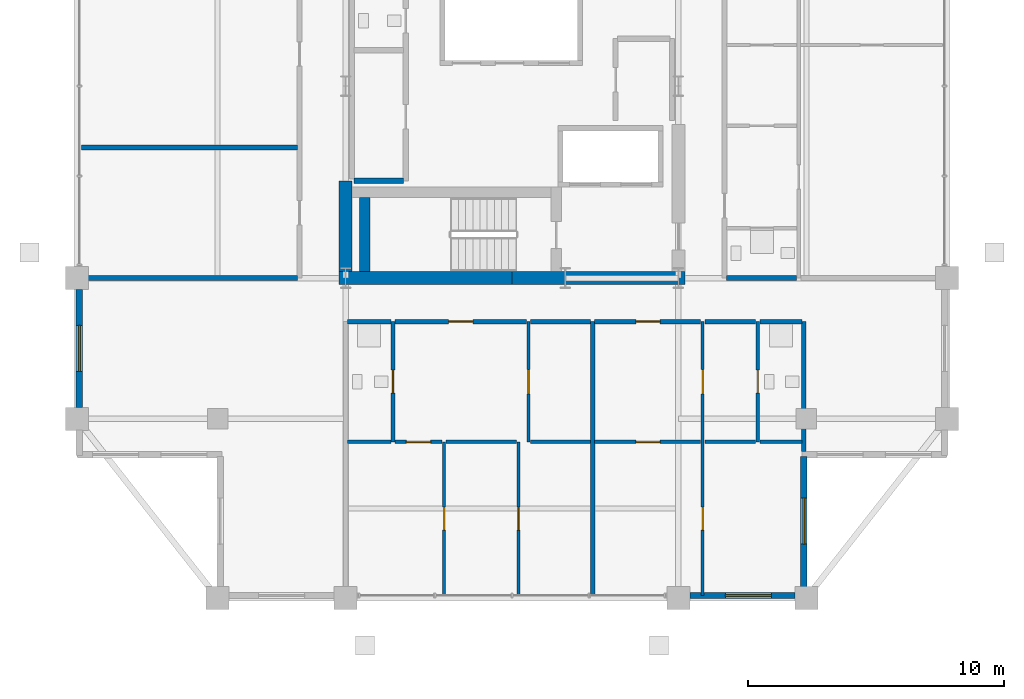
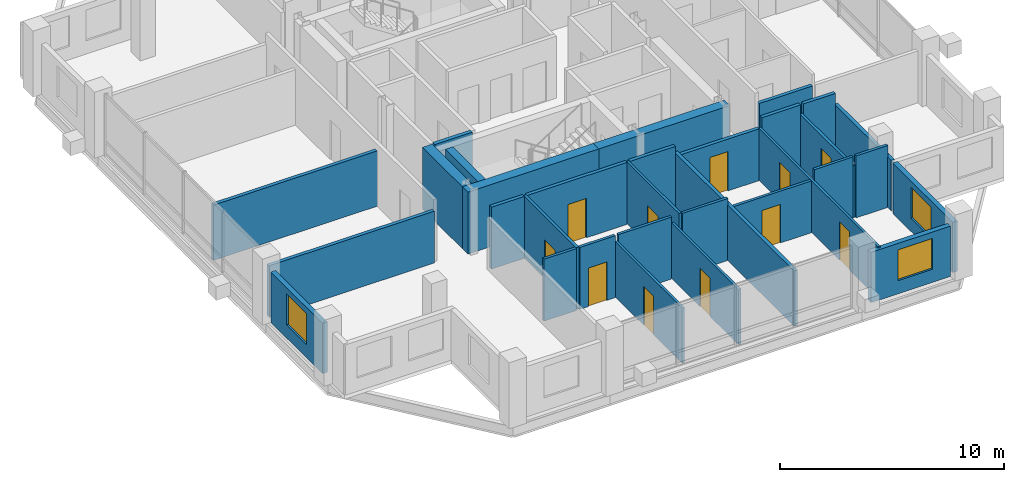
# One storey, part 16 of 21: 32 walls, 11 doors, 3 windows, 14 openings.
"""IFC4 building model written with IfcOpenShell, lengths in metres."""

from ifc_helpers import new_model, si_unit, direction, frame, frame_2d, origin, place, context, subcontext, project, spatial, rectangle, extrude, material, layer, layer_set, type_object, element, fill, save


model = new_model("IFC4")

# Units and contexts
model_context = context("Model", 3, precision=1e-05, world=origin(), true_north=direction((0.0, 1.0)))
body_context = subcontext(model_context, "Body", "Model", "MODEL_VIEW")
ifc_project = project(units=[si_unit("LENGTHUNIT", "METRE"), si_unit("AREAUNIT", "SQUARE_METRE"), si_unit("VOLUMEUNIT", "CUBIC_METRE"), si_unit("PLANEANGLEUNIT", "RADIAN"), si_unit("MASSUNIT", "GRAM", prefix="KILO")], contexts=[model_context])

# Site, building, storey
site_placement = place(None, origin())
site = spatial("IfcSite", under=ifc_project, at=site_placement, CompositionType="ELEMENT")
building_placement = place(site_placement, origin())
building = spatial("IfcBuilding", under=site, at=building_placement, Name="Barlavira Tower and Art Museum", CompositionType="ELEMENT")
storey_placement = place(building_placement, frame((0.0, 0.0, 233.10009765625)))
storey = spatial("IfcBuildingStorey", under=building, at=storey_placement, Name="L60", CompositionType="ELEMENT", Elevation=233.10009765625)

# Wall, opening, door
ifc_material_1 = material(Name="Gypsum acoustic stud partition", Category="gypsum")
ifc_layer_1 = layer(ifc_material_1, 0.1201171875, Name="Gypsum acoustic stud partition")
ifc_layer_set_1 = layer_set([ifc_layer_1], Name="Gypsum acoustic stud partition")
wall_type_1 = type_object("IfcWallType", Name="Apartment Internal Acoustic Partition 120", PredefinedType="PARTITIONING", material=ifc_layer_set_1)
wall_1_placement = place(storey_placement, frame((-2.64990234375, -19.89990234375, 0.0), z_axis=(0.0, 0.0, 1.0), x_axis=(0.0, 1.0, 0.0)))
wall_1 = element("IfcWall", 1, at=wall_1_placement, inside=storey, type_object=wall_type_1, Name="L60 Partition Wall 9", PredefinedType="PARTITIONING", context=body_context, shape_type="SweptSolid", body=[
    extrude(rectangle(XDim=6.0, YDim=0.1201171875, at=frame_2d((3.0, 0.0))), origin(), (0.0, 0.0, 1.0), 3.017822265625),
])
opening_1_placement = place(wall_1_placement, frame((2.550048828125, 0.0, 0.0)))
opening_1 = element("IfcOpeningElement", 2, at=opening_1_placement, cuts=wall_1, Name="Opening D-01", PredefinedType="OPENING", context=body_context, shape_type="SweptSolid", body=[
    extrude(rectangle(XDim=0.89990234375, YDim=2.10009765625, at=frame_2d((0.449951171875, 1.050048828125))), frame((0.0, 0.070068359375, 0.0), z_axis=(0.0, -1.0, 0.0), x_axis=(1.0, 0.0, 0.0)), (0.0, 0.0, 1.0), 0.14013671875),
])
ifc_material_2 = material(Name="Engineered coastal hardwood", Category="wood")
door_type_1 = type_object("IfcDoorType", Name="Internal Bedroom Timber Flush Door 900x2100", OperationType="NOTDEFINED", PredefinedType="DOOR", material=ifc_material_2)
door_1_placement = place(opening_1_placement, origin())
door_1 = element("IfcDoor", 3, at=door_1_placement, inside=storey, type_object=door_type_1, Name="Apartment S1 Bedroom 1 Door", OperationType="SINGLE_SWING_LEFT", OverallHeight=2.10009765625, OverallWidth=0.89990234375, PredefinedType="DOOR", context=body_context, shape_type="SweptSolid", body=[
    extrude(rectangle(XDim=0.89990234375, YDim=2.10009765625, at=frame_2d((0.449951171875, 1.050048828125))), frame((0.0, 0.02490234375, 0.0), z_axis=(0.0, -1.0, 0.0), x_axis=(1.0, 0.0, 0.0)), (0.0, 0.0, 1.0), 0.050048828125),
])
fill(opening_1, door_1)

wall_2_placement = place(storey_placement, frame((0.25, -19.89990234375, 0.0), z_axis=(0.0, 0.0, 1.0), x_axis=(0.0, 1.0, 0.0)))
wall_2 = element("IfcWall", 4, at=wall_2_placement, inside=storey, type_object=wall_type_1, Name="L60 Partition Wall 11", PredefinedType="PARTITIONING", context=body_context, shape_type="SweptSolid", body=[
    extrude(rectangle(XDim=6.0, YDim=0.1201171875, at=frame_2d((3.0, 0.0))), origin(), (0.0, 0.0, 1.0), 3.017822265625),
])
opening_2_placement = place(wall_2_placement, frame((2.550048828125, 0.0, 0.0)))
opening_2 = element("IfcOpeningElement", 5, at=opening_2_placement, cuts=wall_2, Name="Opening D-01", PredefinedType="OPENING", context=body_context, shape_type="SweptSolid", body=[
    extrude(rectangle(XDim=0.89990234375, YDim=2.10009765625, at=frame_2d((0.449951171875, 1.050048828125))), frame((0.0, 0.070068359375, 0.0), z_axis=(0.0, -1.0, 0.0), x_axis=(1.0, 0.0, 0.0)), (0.0, 0.0, 1.0), 0.14013671875),
])
door_2_placement = place(opening_2_placement, origin())
door_2 = element("IfcDoor", 6, at=door_2_placement, inside=storey, type_object=door_type_1, Name="Apartment S1 Bedroom 2 Door", OperationType="SINGLE_SWING_RIGHT", OverallHeight=2.10009765625, OverallWidth=0.89990234375, PredefinedType="DOOR", context=body_context, shape_type="SweptSolid", body=[
    extrude(rectangle(XDim=0.89990234375, YDim=2.10009765625, at=frame_2d((0.449951171875, 1.050048828125))), frame((0.0, 0.02490234375, 0.0), z_axis=(0.0, -1.0, 0.0), x_axis=(1.0, 0.0, 0.0)), (0.0, 0.0, 1.0), 0.050048828125),
])
fill(opening_2, door_2)

wall_3_placement = place(storey_placement, frame((0.64990234375, -13.89990234375, 0.0), z_axis=(0.0, 0.0, 1.0), x_axis=(0.0, 1.0, 0.0)))
wall_3 = element("IfcWall", 7, at=wall_3_placement, inside=storey, type_object=wall_type_1, Name="L60 Partition Wall 13", PredefinedType="PARTITIONING", context=body_context, shape_type="SweptSolid", body=[
    extrude(rectangle(XDim=4.699951171875, YDim=0.1201171875, at=frame_2d((2.35009765625, 0.0))), origin(), (0.0, 0.0, 1.0), 3.3798828125),
])
opening_3_placement = place(wall_3_placement, frame((1.875, 0.0, 0.0)))
opening_3 = element("IfcOpeningElement", 8, at=opening_3_placement, cuts=wall_3, Name="Opening D-02", PredefinedType="OPENING", context=body_context, shape_type="SweptSolid", body=[
    extrude(rectangle(XDim=0.949951171875, YDim=2.10009765625, at=frame_2d((0.47509765625, 1.050048828125))), frame((0.0, 0.070068359375, 0.0), z_axis=(0.0, -1.0, 0.0), x_axis=(1.0, 0.0, 0.0)), (0.0, 0.0, 1.0), 0.14013671875),
])
door_type_2 = type_object("IfcDoorType", Name="Living and Salon Glazed-Leaf Door 950x2100", OperationType="NOTDEFINED", PredefinedType="DOOR", material=ifc_material_2)
door_3_placement = place(opening_3_placement, origin())
door_3 = element("IfcDoor", 9, at=door_3_placement, inside=storey, type_object=door_type_2, Name="Apartment S1 Kitchen Door", OperationType="SINGLE_SWING_LEFT", OverallHeight=2.10009765625, OverallWidth=0.949951171875, PredefinedType="DOOR", context=body_context, shape_type="SweptSolid", body=[
    extrude(rectangle(XDim=0.949951171875, YDim=2.10009765625, at=frame_2d((0.47509765625, 1.050048828125))), frame((0.0, 0.02490234375, 0.0), z_axis=(0.0, -1.0, 0.0), x_axis=(1.0, 0.0, 0.0)), (0.0, 0.0, 1.0), 0.050048828125),
])
fill(opening_3, door_3)

# Wall, openings, doors
wall_4_placement = place(storey_placement, frame((7.449951171875, -19.89990234375, 0.0), z_axis=(0.0, 0.0, 1.0), x_axis=(0.0, 1.0, 0.0)))
wall_4 = element("IfcWall", 10, at=wall_4_placement, inside=storey, type_object=wall_type_1, Name="L60 Partition Wall 20", PredefinedType="PARTITIONING", context=body_context, shape_type="SweptSolid", body=[
    extrude(rectangle(XDim=10.699951171875, YDim=0.1201171875, at=frame_2d((5.35009765625, 0.0))), origin(), (0.0, 0.0, 1.0), 2.825927734375),
])
opening_4_placement = place(wall_4_placement, frame((7.875, 0.0, 0.0)))
opening_4 = element("IfcOpeningElement", 11, at=opening_4_placement, cuts=wall_4, Name="Opening D-02", PredefinedType="OPENING", context=body_context, shape_type="SweptSolid", body=[
    extrude(rectangle(XDim=0.949951171875, YDim=2.10009765625, at=frame_2d((0.47509765625, 1.050048828125))), frame((0.0, 0.070068359375, 0.0), z_axis=(0.0, -1.0, 0.0), x_axis=(1.0, 0.0, 0.0)), (0.0, 0.0, 1.0), 0.14013671875),
])
opening_5_placement = place(wall_4_placement, frame((2.550048828125, 0.0, 0.0)))
opening_5 = element("IfcOpeningElement", 12, at=opening_5_placement, cuts=wall_4, Name="Opening D-01", PredefinedType="OPENING", context=body_context, shape_type="SweptSolid", body=[
    extrude(rectangle(XDim=0.89990234375, YDim=2.10009765625, at=frame_2d((0.449951171875, 1.050048828125))), frame((0.0, 0.070068359375, 0.0), z_axis=(0.0, -1.0, 0.0), x_axis=(1.0, 0.0, 0.0)), (0.0, 0.0, 1.0), 0.14013671875),
])
door_4_placement = place(opening_5_placement, origin())
door_4 = element("IfcDoor", 13, at=door_4_placement, inside=storey, type_object=door_type_1, Name="Apartment S2 Bedroom 1 Door", OperationType="SINGLE_SWING_LEFT", OverallHeight=2.10009765625, OverallWidth=0.89990234375, PredefinedType="DOOR", context=body_context, shape_type="SweptSolid", body=[
    extrude(rectangle(XDim=0.89990234375, YDim=2.10009765625, at=frame_2d((0.449951171875, 1.050048828125))), frame((0.0, 0.02490234375, 0.0), z_axis=(0.0, -1.0, 0.0), x_axis=(1.0, 0.0, 0.0)), (0.0, 0.0, 1.0), 0.050048828125),
])
fill(opening_5, door_4)
door_5_placement = place(opening_4_placement, origin())
door_5 = element("IfcDoor", 14, at=door_5_placement, inside=storey, type_object=door_type_2, Name="Apartment S2 Kitchen Door", OperationType="SINGLE_SWING_RIGHT", OverallHeight=2.10009765625, OverallWidth=0.949951171875, PredefinedType="DOOR", context=body_context, shape_type="SweptSolid", body=[
    extrude(rectangle(XDim=0.949951171875, YDim=2.10009765625, at=frame_2d((0.47509765625, 1.050048828125))), frame((0.0, 0.02490234375, 0.0), z_axis=(0.0, -1.0, 0.0), x_axis=(1.0, 0.0, 0.0)), (0.0, 0.0, 1.0), 0.050048828125),
])
fill(opening_4, door_5)

# Walls
ifc_material_3 = material(Name="Concrete C60", Category="concrete")
ifc_layer_2 = layer(ifc_material_3, 0.5, Name="Concrete C60")
ifc_layer_set_2 = layer_set([ifc_layer_2], Name="Concrete C60")
wall_type_2 = type_object("IfcWallType", Name="Core Structural Shear Wall 500 Concrete C60", PredefinedType="SHEAR", material=ifc_layer_set_2)
for number, where, z_axis, x_axis, name in (
    (15, (-6.75, -7.5, 0.0), (0.0, 0.0, 1.0), (1.0, 0.0, 0.0), "L60 Core Shear Wall CS-SW"),
    (16, (0.0, -7.5, 0.0), (0.0, 0.0, 1.0), (1.0, 0.0, 0.0), "L60 Core Shear Wall CS-SE"),
):
    element("IfcWall", number, at=place(storey_placement, frame(where, z_axis=z_axis, x_axis=x_axis)), inside=storey, type_object=wall_type_2, Name=name, PredefinedType="SHEAR", context=body_context, shape_type="SweptSolid", body=[
        extrude(rectangle(XDim=6.75, YDim=0.5, at=frame_2d((3.375, 0.0))), origin(), (0.0, 0.0, 1.0), 3.3798828125),
    ])
wall_5_placement = place(storey_placement, frame((-6.5, -7.25, 0.0), z_axis=(0.0, 0.0, 1.0), x_axis=(0.0, 1.0, 0.0)))
element("IfcWall", 17, at=wall_5_placement, inside=storey, type_object=wall_type_2, Name="L60 Core Shear Wall CS-W1", PredefinedType="SHEAR", context=body_context, shape_type="SweptSolid", body=[
    extrude(rectangle(XDim=3.550048828125, YDim=0.5, at=frame_2d((1.77490234375, 0.0))), origin(), (0.0, 0.0, 1.0), 3.3798828125),
])
ifc_material_4 = material(Name="Autoclaved aerated concrete masonry", Category="masonry")
ifc_layer_3 = layer(ifc_material_4, 0.199951171875, Name="Autoclaved aerated concrete masonry")
ifc_layer_set_3 = layer_set([ifc_layer_3], Name="Autoclaved aerated concrete masonry")
wall_type_3 = type_object("IfcWallType", Name="Fire Compartment and Shaft Wall 200", PredefinedType="SOLIDWALL", material=ifc_layer_set_3)
wall_6_placement = place(storey_placement, frame((-6.169921875, -3.699951171875, 0.0), z_axis=(0.0, 0.0, 1.0), x_axis=(1.0, 0.0, 0.0)))
element("IfcWall", 18, at=wall_6_placement, inside=storey, type_object=wall_type_3, Name="L60 Partition Wall 44", PredefinedType="SOLIDWALL", context=body_context, shape_type="SweptSolid", body=[
    extrude(rectangle(XDim=1.93994140625, YDim=0.199951171875, at=frame_2d((0.969970703125, 0.0))), origin(), (0.0, 0.0, 1.0), 3.3798828125),
])
ifc_layer_4 = layer(ifc_material_1, 0.179931640625, Name="Gypsum acoustic stud partition")
ifc_layer_set_4 = layer_set([ifc_layer_4], Name="Gypsum acoustic stud partition")
wall_type_4 = type_object("IfcWallType", Name="Inter-Tenancy Party Partition Wall 180", PredefinedType="PARTITIONING", material=ifc_layer_set_4)
wall_7_placement = place(storey_placement, frame((3.14990234375, -19.89990234375, 0.0), z_axis=(0.0, 0.0, 1.0), x_axis=(0.0, 1.0, 0.0)))
element("IfcWall", 19, at=wall_7_placement, inside=storey, type_object=wall_type_4, Name="L60 Partition Wall 15", PredefinedType="PARTITIONING", context=body_context, shape_type="SweptSolid", body=[
    extrude(rectangle(XDim=10.699951171875, YDim=0.179931640625, at=frame_2d((5.35009765625, 0.0))), origin(), (0.0, 0.0, 1.0), 3.017822265625),
])
wall_8_placement = place(storey_placement, frame((11.39990234375, -14.27001953125, 0.0), z_axis=(0.0, 0.0, 1.0), x_axis=(0.0, 1.0, 0.0)))
element("IfcWall", 20, at=wall_8_placement, inside=storey, type_object=wall_type_4, Name="L60 Partition Wall 25", PredefinedType="PARTITIONING", context=body_context, shape_type="SweptSolid", body=[
    extrude(rectangle(XDim=5.070068359375, YDim=0.179931640625, at=frame_2d((2.53515625, 0.0))), origin(), (0.0, 0.0, 1.0), 2.747802734375),
])
wall_9_placement = place(storey_placement, frame((-6.419921875, -9.199951171875, 0.0), z_axis=(0.0, 0.0, 1.0), x_axis=(1.0, 0.0, 0.0)))
element("IfcWall", 21, at=wall_9_placement, inside=storey, type_object=wall_type_4, Name="L60 Partition Wall 34", PredefinedType="PARTITIONING", context=body_context, shape_type="SweptSolid", body=[
    extrude(rectangle(XDim=1.68994140625, YDim=0.179931640625, at=frame_2d((0.844970703125, 0.0))), origin(), (0.0, 0.0, 1.0), 3.3798828125),
])

# Wall, opening, door
wall_10_placement = place(storey_placement, frame((-4.570068359375, -9.199951171875, 0.0), z_axis=(0.0, 0.0, 1.0), x_axis=(1.0, 0.0, 0.0)))
wall_10 = element("IfcWall", 22, at=wall_10_placement, inside=storey, type_object=wall_type_4, Name="L60 Partition Wall 35", PredefinedType="PARTITIONING", context=body_context, shape_type="SweptSolid", body=[
    extrude(rectangle(XDim=5.14013671875, YDim=0.179931640625, at=frame_2d((2.570068359375, 0.0))), origin(), (0.0, 0.0, 1.0), 3.3798828125),
])
opening_6_placement = place(wall_10_placement, frame((2.094970703125, 0.0, 0.0)))
opening_6 = element("IfcOpeningElement", 23, at=opening_6_placement, cuts=wall_10, Name="Opening FD-60", PredefinedType="OPENING", context=body_context, shape_type="SweptSolid", body=[
    extrude(rectangle(XDim=0.949951171875, YDim=2.14990234375, at=frame_2d((0.47509765625, 1.074951171875))), frame((0.0, 0.10009765625, 0.0), z_axis=(0.0, -1.0, 0.0), x_axis=(1.0, 0.0, 0.0)), (0.0, 0.0, 1.0), 0.199951171875),
])
ifc_material_5 = material(Name="Brushed stainless steel", Category="steel")
door_type_3 = type_object("IfcDoorType", Name="Apartment Entrance and Riser Fire Door 950x2150 FD60S", OperationType="NOTDEFINED", PredefinedType="DOOR", material=ifc_material_5)
door_6_placement = place(opening_6_placement, origin())
door_6 = element("IfcDoor", 24, at=door_6_placement, inside=storey, type_object=door_type_3, Name="Apartment Entrance Hall S1 Door", OperationType="SINGLE_SWING_RIGHT", OverallHeight=2.14990234375, OverallWidth=0.949951171875, PredefinedType="DOOR", context=body_context, shape_type="SweptSolid", body=[
    extrude(rectangle(XDim=0.949951171875, YDim=2.14990234375, at=frame_2d((0.47509765625, 1.074951171875))), frame((0.0, 0.02490234375, 0.0), z_axis=(0.0, -1.0, 0.0), x_axis=(1.0, 0.0, 0.0)), (0.0, 0.0, 1.0), 0.050048828125),
])
fill(opening_6, door_6)

# Wall
wall_11_placement = place(storey_placement, frame((0.72998046875, -9.199951171875, 0.0), z_axis=(0.0, 0.0, 1.0), x_axis=(1.0, 0.0, 0.0)))
element("IfcWall", 25, at=wall_11_placement, inside=storey, type_object=wall_type_4, Name="L60 Partition Wall 36", PredefinedType="PARTITIONING", context=body_context, shape_type="SweptSolid", body=[
    extrude(rectangle(XDim=2.340087890625, YDim=0.179931640625, at=frame_2d((1.169921875, 0.0))), origin(), (0.0, 0.0, 1.0), 3.3798828125),
])

# Wall, opening, door
wall_12_placement = place(storey_placement, frame((3.22998046875, -9.199951171875, 0.0), z_axis=(0.0, 0.0, 1.0), x_axis=(1.0, 0.0, 0.0)))
wall_12 = element("IfcWall", 26, at=wall_12_placement, inside=storey, type_object=wall_type_4, Name="L60 Partition Wall 37", PredefinedType="PARTITIONING", context=body_context, shape_type="SweptSolid", body=[
    extrude(rectangle(XDim=4.14013671875, YDim=0.179931640625, at=frame_2d((2.070068359375, 0.0))), origin(), (0.0, 0.0, 1.0), 2.825927734375),
])
opening_7_placement = place(wall_12_placement, frame((1.60498046875, 0.0, 0.0)))
opening_7 = element("IfcOpeningElement", 27, at=opening_7_placement, cuts=wall_12, Name="Opening FD-60", PredefinedType="OPENING", context=body_context, shape_type="SweptSolid", body=[
    extrude(rectangle(XDim=0.949951171875, YDim=2.14990234375, at=frame_2d((0.47509765625, 1.074951171875))), frame((0.0, 0.10009765625, 0.0), z_axis=(0.0, -1.0, 0.0), x_axis=(1.0, 0.0, 0.0)), (0.0, 0.0, 1.0), 0.199951171875),
])
door_7_placement = place(opening_7_placement, origin())
door_7 = element("IfcDoor", 28, at=door_7_placement, inside=storey, type_object=door_type_3, Name="Apartment Entrance Hall S2 Door", OperationType="SINGLE_SWING_LEFT", OverallHeight=2.14990234375, OverallWidth=0.949951171875, PredefinedType="DOOR", context=body_context, shape_type="SweptSolid", body=[
    extrude(rectangle(XDim=0.949951171875, YDim=2.14990234375, at=frame_2d((0.47509765625, 1.074951171875))), frame((0.0, 0.02490234375, 0.0), z_axis=(0.0, -1.0, 0.0), x_axis=(1.0, 0.0, 0.0)), (0.0, 0.0, 1.0), 0.050048828125),
])
fill(opening_7, door_7)

# Walls
wall_13_placement = place(storey_placement, frame((7.530029296875, -9.199951171875, 0.0), z_axis=(0.0, 0.0, 1.0), x_axis=(1.0, 0.0, 0.0)))
element("IfcWall", 29, at=wall_13_placement, inside=storey, type_object=wall_type_4, Name="L60 Partition Wall 38", PredefinedType="PARTITIONING", context=body_context, shape_type="SweptSolid", body=[
    extrude(rectangle(XDim=1.989990234375, YDim=0.179931640625, at=frame_2d((0.9951171875, 0.0))), origin(), (0.0, 0.0, 1.0), 3.3798828125),
])
wall_14_placement = place(storey_placement, frame((9.679931640625, -9.199951171875, 0.0), z_axis=(0.0, 0.0, 1.0), x_axis=(1.0, 0.0, 0.0)))
element("IfcWall", 30, at=wall_14_placement, inside=storey, type_object=wall_type_4, Name="L60 Partition Wall 39", PredefinedType="PARTITIONING", context=body_context, shape_type="SweptSolid", body=[
    extrude(rectangle(XDim=1.64013671875, YDim=0.179931640625, at=frame_2d((0.820068359375, 0.0))), origin(), (0.0, 0.0, 1.0), 3.3798828125),
])
wall_15_placement = place(storey_placement, frame((-16.89990234375, -7.5, 0.0), z_axis=(0.0, 0.0, 1.0), x_axis=(1.0, 0.0, 0.0)))
element("IfcWall", 31, at=wall_15_placement, inside=storey, type_object=wall_type_4, Name="L60 Partition Wall 40", PredefinedType="PARTITIONING", context=body_context, shape_type="SweptSolid", body=[
    extrude(rectangle(XDim=8.52001953125, YDim=0.179931640625, at=frame_2d((4.260009765625, 0.0))), origin(), (0.0, 0.0, 1.0), 2.825927734375),
])
wall_16_placement = place(storey_placement, frame((8.3798828125, -7.5, 0.0), z_axis=(0.0, 0.0, 1.0), x_axis=(1.0, 0.0, 0.0)))
element("IfcWall", 32, at=wall_16_placement, inside=storey, type_object=wall_type_4, Name="L60 Partition Wall 41", PredefinedType="PARTITIONING", context=body_context, shape_type="SweptSolid", body=[
    extrude(rectangle(XDim=2.740234375, YDim=0.179931640625, at=frame_2d((1.3701171875, 0.0))), origin(), (0.0, 0.0, 1.0), 2.825927734375),
])
wall_17_placement = place(storey_placement, frame((-16.820068359375, -2.39990234375, 0.0), z_axis=(0.0, 0.0, 1.0), x_axis=(1.0, 0.0, 0.0)))
element("IfcWall", 33, at=wall_17_placement, inside=storey, type_object=wall_type_4, Name="L60 Partition Wall 45", PredefinedType="PARTITIONING", context=body_context, shape_type="SweptSolid", body=[
    extrude(rectangle(XDim=8.440185546875, YDim=0.179931640625, at=frame_2d((4.22021484375, 0.0))), origin(), (0.0, 0.0, 1.0), 3.017822265625),
])

# Wall, opening, door
ifc_layer_5 = layer(ifc_material_1, 0.139892578125, Name="Gypsum acoustic stud partition")
ifc_layer_set_5 = layer_set([ifc_layer_5], Name="Gypsum acoustic stud partition")
wall_type_5 = type_object("IfcWallType", Name="Moisture-Resistant Bathroom Partition 140", PredefinedType="PARTITIONING", material=ifc_layer_set_5)
wall_18_placement = place(storey_placement, frame((-4.64990234375, -13.89990234375, 0.0), z_axis=(0.0, 0.0, 1.0), x_axis=(0.0, 1.0, 0.0)))
wall_18 = element("IfcWall", 34, at=wall_18_placement, inside=storey, type_object=wall_type_5, Name="L60 Partition Wall 6", PredefinedType="PARTITIONING", context=body_context, shape_type="SweptSolid", body=[
    extrude(rectangle(XDim=4.699951171875, YDim=0.139892578125, at=frame_2d((2.35009765625, 0.0))), origin(), (0.0, 0.0, 1.0), 3.3798828125),
])
opening_8_placement = place(wall_18_placement, frame((1.89990234375, 0.0, 0.0)))
opening_8 = element("IfcOpeningElement", 35, at=opening_8_placement, cuts=wall_18, Name="Opening D-WC", PredefinedType="OPENING", context=body_context, shape_type="SweptSolid", body=[
    extrude(rectangle(XDim=0.89990234375, YDim=2.10009765625, at=frame_2d((0.449951171875, 1.050048828125))), frame((0.0, 0.080078125, 0.0), z_axis=(0.0, -1.0, 0.0), x_axis=(1.0, 0.0, 0.0)), (0.0, 0.0, 1.0), 0.159912109375),
])
door_type_4 = type_object("IfcDoorType", Name="Accessible Bathroom Flush Door 900x2100", OperationType="NOTDEFINED", PredefinedType="DOOR", material=ifc_material_2)
door_8_placement = place(opening_8_placement, origin())
door_8 = element("IfcDoor", 36, at=door_8_placement, inside=storey, type_object=door_type_4, Name="Apartment S1 Hall Bathroom Door", OperationType="SINGLE_SWING_LEFT", OverallHeight=2.10009765625, OverallWidth=0.89990234375, PredefinedType="DOOR", context=body_context, shape_type="SweptSolid", body=[
    extrude(rectangle(XDim=0.89990234375, YDim=2.10009765625, at=frame_2d((0.449951171875, 1.050048828125))), frame((0.0, 0.02490234375, 0.0), z_axis=(0.0, -1.0, 0.0), x_axis=(1.0, 0.0, 0.0)), (0.0, 0.0, 1.0), 0.050048828125),
])
fill(opening_8, door_8)

wall_19_placement = place(storey_placement, frame((9.60009765625, -13.89990234375, 0.0), z_axis=(0.0, 0.0, 1.0), x_axis=(0.0, 1.0, 0.0)))
wall_19 = element("IfcWall", 37, at=wall_19_placement, inside=storey, type_object=wall_type_5, Name="L60 Partition Wall 22", PredefinedType="PARTITIONING", context=body_context, shape_type="SweptSolid", body=[
    extrude(rectangle(XDim=4.699951171875, YDim=0.139892578125, at=frame_2d((2.35009765625, 0.0))), origin(), (0.0, 0.0, 1.0), 2.825927734375),
])
opening_9_placement = place(wall_19_placement, frame((1.89990234375, 0.0, 0.0)))
opening_9 = element("IfcOpeningElement", 38, at=opening_9_placement, cuts=wall_19, Name="Opening D-WC", PredefinedType="OPENING", context=body_context, shape_type="SweptSolid", body=[
    extrude(rectangle(XDim=0.89990234375, YDim=2.10009765625, at=frame_2d((0.449951171875, 1.050048828125))), frame((0.0, 0.080078125, 0.0), z_axis=(0.0, -1.0, 0.0), x_axis=(1.0, 0.0, 0.0)), (0.0, 0.0, 1.0), 0.159912109375),
])
door_9_placement = place(opening_9_placement, origin())
door_9 = element("IfcDoor", 39, at=door_9_placement, inside=storey, type_object=door_type_4, Name="Apartment S2 Hall Bathroom Door", OperationType="SINGLE_SWING_LEFT", OverallHeight=2.10009765625, OverallWidth=0.89990234375, PredefinedType="DOOR", context=body_context, shape_type="SweptSolid", body=[
    extrude(rectangle(XDim=0.89990234375, YDim=2.10009765625, at=frame_2d((0.449951171875, 1.050048828125))), frame((0.0, 0.02490234375, 0.0), z_axis=(0.0, -1.0, 0.0), x_axis=(1.0, 0.0, 0.0)), (0.0, 0.0, 1.0), 0.050048828125),
])
fill(opening_9, door_9)

# Wall
wall_20_placement = place(storey_placement, frame((-6.419921875, -13.89990234375, 0.0), z_axis=(0.0, 0.0, 1.0), x_axis=(1.0, 0.0, 0.0)))
element("IfcWall", 40, at=wall_20_placement, inside=storey, type_object=wall_type_5, Name="L60 Partition Wall 27", PredefinedType="PARTITIONING", context=body_context, shape_type="SweptSolid", body=[
    extrude(rectangle(XDim=1.68994140625, YDim=0.139892578125, at=frame_2d((0.844970703125, 0.0))), origin(), (0.0, 0.0, 1.0), 3.3798828125),
])

# Wall, opening, door
wall_21_placement = place(storey_placement, frame((-4.570068359375, -13.89990234375, 0.0), z_axis=(0.0, 0.0, 1.0), x_axis=(1.0, 0.0, 0.0)))
wall_21 = element("IfcWall", 41, at=wall_21_placement, inside=storey, type_object=wall_type_5, Name="L60 Partition Wall 28", PredefinedType="PARTITIONING", context=body_context, shape_type="SweptSolid", body=[
    extrude(rectangle(XDim=1.840087890625, YDim=0.139892578125, at=frame_2d((0.919921875, 0.0))), origin(), (0.0, 0.0, 1.0), 3.3798828125),
])
opening_10_placement = place(wall_21_placement, frame((0.445068359375, 0.0, 0.0)))
opening_10 = element("IfcOpeningElement", 42, at=opening_10_placement, cuts=wall_21, Name="Opening D-02", PredefinedType="OPENING", context=body_context, shape_type="SweptSolid", body=[
    extrude(rectangle(XDim=0.949951171875, YDim=2.10009765625, at=frame_2d((0.47509765625, 1.050048828125))), frame((0.0, 0.080078125, 0.0), z_axis=(0.0, -1.0, 0.0), x_axis=(1.0, 0.0, 0.0)), (0.0, 0.0, 1.0), 0.159912109375),
])
door_10_placement = place(opening_10_placement, origin())
door_10 = element("IfcDoor", 43, at=door_10_placement, inside=storey, type_object=door_type_2, Name="Apartment S1 Living Lounge Door", OperationType="SINGLE_SWING_RIGHT", OverallHeight=2.10009765625, OverallWidth=0.949951171875, PredefinedType="DOOR", context=body_context, shape_type="SweptSolid", body=[
    extrude(rectangle(XDim=0.949951171875, YDim=2.10009765625, at=frame_2d((0.47509765625, 1.050048828125))), frame((0.0, 0.02490234375, 0.0), z_axis=(0.0, -1.0, 0.0), x_axis=(1.0, 0.0, 0.0)), (0.0, 0.0, 1.0), 0.050048828125),
])
fill(opening_10, door_10)

# Walls
wall_22_placement = place(storey_placement, frame((-2.570068359375, -13.89990234375, 0.0), z_axis=(0.0, 0.0, 1.0), x_axis=(1.0, 0.0, 0.0)))
element("IfcWall", 44, at=wall_22_placement, inside=storey, type_object=wall_type_5, Name="L60 Partition Wall 29", PredefinedType="PARTITIONING", context=body_context, shape_type="SweptSolid", body=[
    extrude(rectangle(XDim=2.739990234375, YDim=0.139892578125, at=frame_2d((1.3701171875, 0.0))), origin(), (0.0, 0.0, 1.0), 3.3798828125),
])
wall_23_placement = place(storey_placement, frame((0.72998046875, -13.89990234375, 0.0), z_axis=(0.0, 0.0, 1.0), x_axis=(1.0, 0.0, 0.0)))
element("IfcWall", 45, at=wall_23_placement, inside=storey, type_object=wall_type_5, Name="L60 Partition Wall 30", PredefinedType="PARTITIONING", context=body_context, shape_type="SweptSolid", body=[
    extrude(rectangle(XDim=2.340087890625, YDim=0.139892578125, at=frame_2d((1.169921875, 0.0))), origin(), (0.0, 0.0, 1.0), 3.3798828125),
])

# Wall, opening, door
wall_24_placement = place(storey_placement, frame((3.22998046875, -13.89990234375, 0.0), z_axis=(0.0, 0.0, 1.0), x_axis=(1.0, 0.0, 0.0)))
wall_24 = element("IfcWall", 46, at=wall_24_placement, inside=storey, type_object=wall_type_5, Name="L60 Partition Wall 31", PredefinedType="PARTITIONING", context=body_context, shape_type="SweptSolid", body=[
    extrude(rectangle(XDim=4.14013671875, YDim=0.139892578125, at=frame_2d((2.070068359375, 0.0))), origin(), (0.0, 0.0, 1.0), 2.825927734375),
])
opening_11_placement = place(wall_24_placement, frame((1.60498046875, 0.0, 0.0)))
opening_11 = element("IfcOpeningElement", 47, at=opening_11_placement, cuts=wall_24, Name="Opening D-02", PredefinedType="OPENING", context=body_context, shape_type="SweptSolid", body=[
    extrude(rectangle(XDim=0.949951171875, YDim=2.10009765625, at=frame_2d((0.47509765625, 1.050048828125))), frame((0.0, 0.080078125, 0.0), z_axis=(0.0, -1.0, 0.0), x_axis=(1.0, 0.0, 0.0)), (0.0, 0.0, 1.0), 0.159912109375),
])
door_11_placement = place(opening_11_placement, origin())
door_11 = element("IfcDoor", 48, at=door_11_placement, inside=storey, type_object=door_type_2, Name="Apartment S2 Living Lounge Door", OperationType="SINGLE_SWING_RIGHT", OverallHeight=2.10009765625, OverallWidth=0.949951171875, PredefinedType="DOOR", context=body_context, shape_type="SweptSolid", body=[
    extrude(rectangle(XDim=0.949951171875, YDim=2.10009765625, at=frame_2d((0.47509765625, 1.050048828125))), frame((0.0, 0.02490234375, 0.0), z_axis=(0.0, -1.0, 0.0), x_axis=(1.0, 0.0, 0.0)), (0.0, 0.0, 1.0), 0.050048828125),
])
fill(opening_11, door_11)

# Walls
wall_25_placement = place(storey_placement, frame((7.530029296875, -13.89990234375, 0.0), z_axis=(0.0, 0.0, 1.0), x_axis=(1.0, 0.0, 0.0)))
element("IfcWall", 49, at=wall_25_placement, inside=storey, type_object=wall_type_5, Name="L60 Partition Wall 32", PredefinedType="PARTITIONING", context=body_context, shape_type="SweptSolid", body=[
    extrude(rectangle(XDim=1.989990234375, YDim=0.139892578125, at=frame_2d((0.9951171875, 0.0))), origin(), (0.0, 0.0, 1.0), 3.3798828125),
])
wall_26_placement = place(storey_placement, frame((9.679931640625, -13.89990234375, 0.0), z_axis=(0.0, 0.0, 1.0), x_axis=(1.0, 0.0, 0.0)))
element("IfcWall", 50, at=wall_26_placement, inside=storey, type_object=wall_type_5, Name="L60 Partition Wall 33", PredefinedType="PARTITIONING", context=body_context, shape_type="SweptSolid", body=[
    extrude(rectangle(XDim=1.64013671875, YDim=0.139892578125, at=frame_2d((0.820068359375, 0.0))), origin(), (0.0, 0.0, 1.0), 3.3798828125),
])

# Wall, opening, window
ifc_material_6 = material(Name="Precast concrete C40", Category="concrete")
ifc_layer_6 = layer(ifc_material_6, 0.25, Name="Precast concrete C40")
ifc_layer_set_6 = layer_set([ifc_layer_6], Name="Precast concrete C40")
wall_type_6 = type_object("IfcWallType", Name="Notched Corner Spandrel Wall 250 Precast Concrete C40", PredefinedType="SOLIDWALL", material=ifc_layer_set_6)
wall_27_placement = place(storey_placement, frame((6.945068359375, -19.89990234375, 0.0), z_axis=(0.0, 0.0, 1.0), x_axis=(1.0, 0.0, 0.0)))
wall_27 = element("IfcWall", 51, at=wall_27_placement, inside=storey, type_object=wall_type_6, Name="L60 Coastal Facade Pier Wall CW4-L60-S-3", PredefinedType="SOLIDWALL", context=body_context, shape_type="SweptSolid", body=[
    extrude(rectangle(XDim=4.10986328125, YDim=0.25, at=frame_2d((2.054931640625, 0.0))), origin(), (0.0, 0.0, 1.0), 2.747802734375),
])
opening_12_placement = place(wall_27_placement, frame((1.389892578125, 0.0, 0.719970703125)))
opening_12 = element("IfcOpeningElement", 52, at=opening_12_placement, cuts=wall_27, Name="Opening WN-01", PredefinedType="OPENING", context=body_context, shape_type="SweptSolid", body=[
    extrude(rectangle(XDim=1.800048828125, YDim=1.679931640625, at=frame_2d((0.89990234375, 0.83984375))), frame((0.0, 0.135009765625, 0.0), z_axis=(0.0, -1.0, 0.0), x_axis=(1.0, 0.0, 0.0)), (0.0, 0.0, 1.0), 0.27001953125),
])
ifc_material_7 = material(Name="Low-iron coastal laminated glass", Category="glass")
window_type = type_object("IfcWindowType", Name="Recessed Notch Corner Punch Window 1800x1680", PartitioningType="SINGLE_PANEL", PredefinedType="WINDOW", material=ifc_material_7)
window_1_placement = place(opening_12_placement, origin())
window_1 = element("IfcWindow", 53, at=window_1_placement, inside=storey, type_object=window_type, Name="L60 Punched Facade Window EWP-CW4-L60-S-3-1", OverallHeight=1.679931640625, OverallWidth=1.800048828125, PartitioningType="SINGLE_PANEL", PredefinedType="WINDOW", context=body_context, shape_type="SweptSolid", body=[
    extrude(rectangle(XDim=1.800048828125, YDim=1.679931640625, at=frame_2d((0.89990234375, 0.83984375))), frame((0.0, 0.030029296875, 0.0), z_axis=(0.0, -1.0, 0.0), x_axis=(1.0, 0.0, 0.0)), (0.0, 0.0, 1.0), 0.06005859375),
])
fill(opening_12, window_1)

wall_28_placement = place(storey_placement, frame((-16.89990234375, -7.945068359375, 0.0), z_axis=(0.0, 0.0, 1.0), x_axis=(0.0, -1.0, 0.0)))
wall_28 = element("IfcWall", 54, at=wall_28_placement, inside=storey, type_object=wall_type_6, Name="L60 Coastal Facade Pier Wall CW4-L60-W-4", PredefinedType="SOLIDWALL", context=body_context, shape_type="SweptSolid", body=[
    extrude(rectangle(XDim=4.60986328125, YDim=0.25, at=frame_2d((2.304931640625, 0.0))), origin(), (0.0, 0.0, 1.0), 2.747802734375),
])
opening_13_placement = place(wall_28_placement, frame((1.405029296875, 0.0, 0.719970703125)))
opening_13 = element("IfcOpeningElement", 55, at=opening_13_placement, cuts=wall_28, Name="Opening WN-01", PredefinedType="OPENING", context=body_context, shape_type="SweptSolid", body=[
    extrude(rectangle(XDim=1.800048828125, YDim=1.679931640625, at=frame_2d((0.89990234375, 0.83984375))), frame((0.0, 0.135009765625, 0.0), z_axis=(0.0, -1.0, 0.0), x_axis=(1.0, 0.0, 0.0)), (0.0, 0.0, 1.0), 0.27001953125),
])
window_2_placement = place(opening_13_placement, origin())
window_2 = element("IfcWindow", 56, at=window_2_placement, inside=storey, type_object=window_type, Name="L60 Punched Facade Window EWP-CW4-L60-W-4-1", OverallHeight=1.679931640625, OverallWidth=1.800048828125, PartitioningType="SINGLE_PANEL", PredefinedType="WINDOW", context=body_context, shape_type="SweptSolid", body=[
    extrude(rectangle(XDim=1.800048828125, YDim=1.679931640625, at=frame_2d((0.89990234375, 0.83984375))), frame((0.0, 0.030029296875, 0.0), z_axis=(0.0, -1.0, 0.0), x_axis=(1.0, 0.0, 0.0)), (0.0, 0.0, 1.0), 0.06005859375),
])
fill(opening_13, window_2)

wall_29_placement = place(storey_placement, frame((11.39990234375, -19.820068359375, 0.0), z_axis=(0.0, 0.0, 1.0), x_axis=(0.0, 1.0, 0.0)))
wall_29 = element("IfcWall", 57, at=wall_29_placement, inside=storey, type_object=wall_type_6, Name="L60 Notch Corner Wall SE1", PredefinedType="SOLIDWALL", context=body_context, shape_type="SweptSolid", body=[
    extrude(rectangle(XDim=5.340087890625, YDim=0.25, at=frame_2d((2.669921875, 0.0))), origin(), (0.0, 0.0, 1.0), 2.747802734375),
])
opening_14_placement = place(wall_29_placement, frame((1.925048828125, 0.0, 0.719970703125)))
opening_14 = element("IfcOpeningElement", 58, at=opening_14_placement, cuts=wall_29, Name="Opening WN-01", PredefinedType="OPENING", context=body_context, shape_type="SweptSolid", body=[
    extrude(rectangle(XDim=1.800048828125, YDim=1.679931640625, at=frame_2d((0.89990234375, 0.83984375))), frame((0.0, 0.135009765625, 0.0), z_axis=(0.0, -1.0, 0.0), x_axis=(1.0, 0.0, 0.0)), (0.0, 0.0, 1.0), 0.27001953125),
])
window_3_placement = place(opening_14_placement, origin())
window_3 = element("IfcWindow", 59, at=window_3_placement, inside=storey, type_object=window_type, Name="L60 Punched Facade Window EW-NTC-L60-SE1-1", OverallHeight=1.679931640625, OverallWidth=1.800048828125, PartitioningType="SINGLE_PANEL", PredefinedType="WINDOW", context=body_context, shape_type="SweptSolid", body=[
    extrude(rectangle(XDim=1.800048828125, YDim=1.679931640625, at=frame_2d((0.89990234375, 0.83984375))), frame((0.0, 0.030029296875, 0.0), z_axis=(0.0, -1.0, 0.0), x_axis=(1.0, 0.0, 0.0)), (0.0, 0.0, 1.0), 0.06005859375),
])
fill(opening_14, window_3)

# Wall
ifc_material_8 = material(Name="Concrete C55", Category="concrete")
ifc_layer_7 = layer(ifc_material_8, 0.39990234375, Name="Concrete C55")
ifc_layer_set_7 = layer_set([ifc_layer_7], Name="Concrete C55")
wall_type_7 = type_object("IfcWallType", Name="Upper Core Shear Wall 400 Concrete C55", PredefinedType="SHEAR", material=ifc_layer_set_7)
wall_30_placement = place(storey_placement, frame((-5.75, -7.25, 0.0), z_axis=(0.0, 0.0, 1.0), x_axis=(0.0, 1.0, 0.0)))
element("IfcWall", 60, at=wall_30_placement, inside=storey, type_object=wall_type_7, Name="L60 ST-T1 West Half-Landing Wall", PredefinedType="SHEAR", context=body_context, shape_type="SweptSolid", body=[
    extrude(rectangle(XDim=2.89990234375, YDim=0.39990234375, at=frame_2d((1.449951171875, 0.0))), origin(), (0.0, 0.0, 1.0), 3.3798828125),
])

save(model, "model.ifc")
